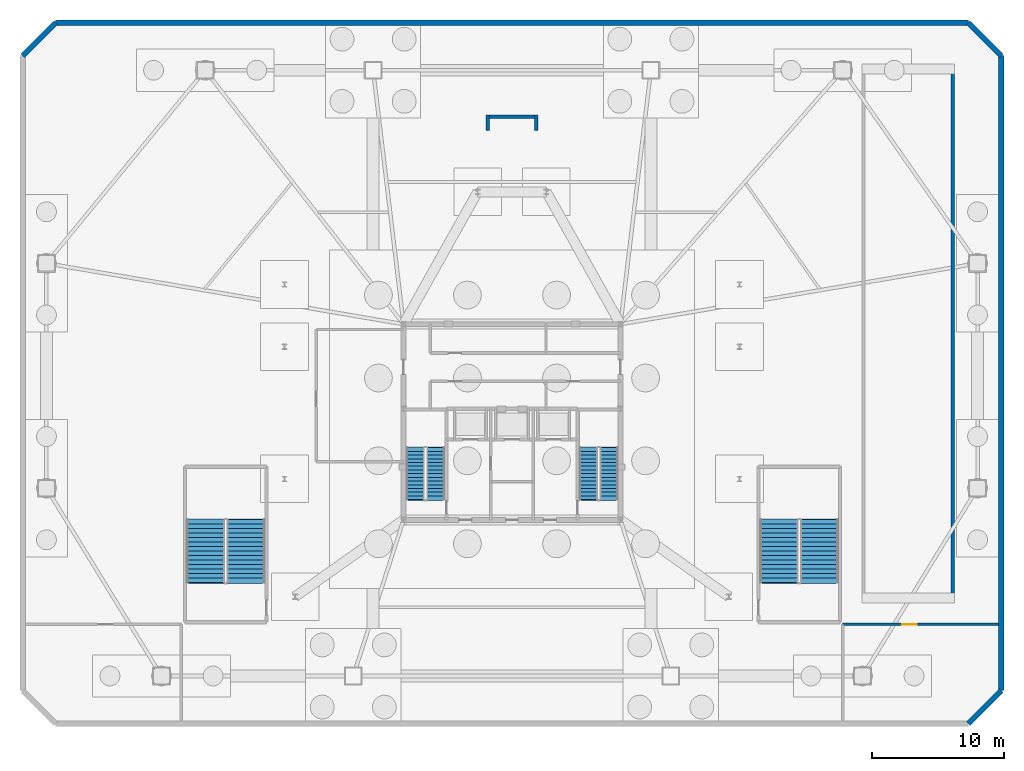
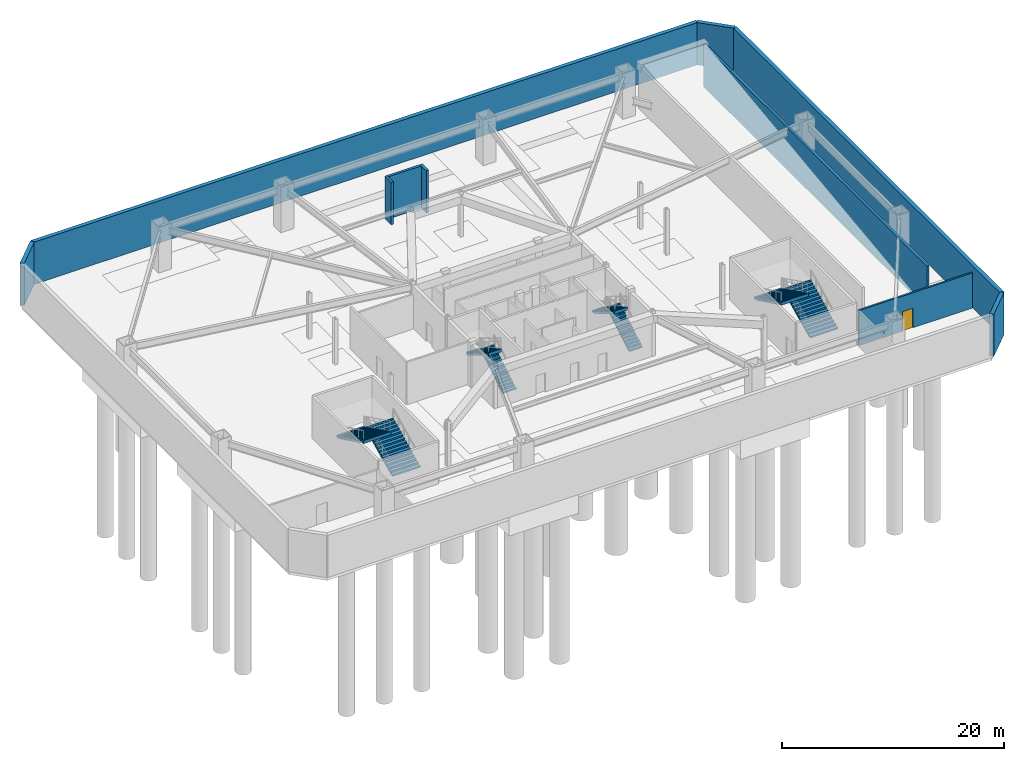
# One storey, part 9 of 12: 10 walls, 8 stair flights, 1 door, 1 opening, 4 elements without a shape of their own.
"""IFC4 building model written with IfcOpenShell, lengths in metres."""

from ifc_helpers import new_model, si_unit, direction, frame, frame_2d, origin, place, context, subcontext, project, spatial, polyline, rectangle, outline, extrude, material, layer, layer_set, type_object, element, fill, aggregate, save


model = new_model("IFC4")

# Units and contexts
model_context = context("Model", 3, precision=1e-05, world=origin(), true_north=direction((0.0, 1.0)))
body_context = subcontext(model_context, "Body", "Model", "MODEL_VIEW")
ifc_project = project(units=[si_unit("LENGTHUNIT", "METRE"), si_unit("AREAUNIT", "SQUARE_METRE"), si_unit("VOLUMEUNIT", "CUBIC_METRE"), si_unit("PLANEANGLEUNIT", "RADIAN"), si_unit("MASSUNIT", "GRAM", prefix="KILO")], contexts=[model_context])

# Site, building, storey
site_placement = place(None, origin())
site = spatial("IfcSite", under=ifc_project, at=site_placement, CompositionType="ELEMENT")
building_placement = place(site_placement, origin())
building = spatial("IfcBuilding", under=site, at=building_placement, Name="Varakhsha Concourse Tower", CompositionType="ELEMENT")
storey_placement = place(building_placement, frame((0.0, 0.0, -10.0)))
storey = spatial("IfcBuildingStorey", under=building, at=storey_placement, Name="B02", CompositionType="ELEMENT", Elevation=-10.0)

# Walls
ifc_material_1 = material(Name="Concrete fc 45 MPa", Category="concrete")
ifc_layer_1 = layer(ifc_material_1, 0.39990234375, Name="WL-BSMT-400")
ifc_layer_set_1 = layer_set([ifc_layer_1], Name="Concrete fc 45 MPa")
wall_type_1 = type_object("IfcWallType", Name="WL-BSMT-400", PredefinedType="USERDEFINED", material=ifc_layer_set_1)
wall_1_placement = place(storey_placement, frame((74.5, 1.0, 0.0), z_axis=(0.0, 0.0, 1.0), x_axis=(0.707106781187, 0.707106781187, 0.0)))
element("IfcWall", 1, at=wall_1_placement, inside=storey, type_object=wall_type_1, Name="B02 Perimeter Basement Retaining Wall 02", ObjectType="RETAINING WALL", PredefinedType="USERDEFINED", context=body_context, shape_type="SweptSolid", body=[
    extrude(rectangle(XDim=3.53564453125, YDim=0.39990234375, at=frame_2d((1.767822265625, 0.0))), origin(), (0.0, 0.0, 1.0), 4.639892578125),
])
wall_2_placement = place(storey_placement, frame((77.0, 3.5, 0.0), z_axis=(0.0, 0.0, 1.0), x_axis=(0.0, 1.0, 0.0)))
element("IfcWall", 2, at=wall_2_placement, inside=storey, type_object=wall_type_1, Name="B02 Perimeter Basement Retaining Wall 03", ObjectType="RETAINING WALL", PredefinedType="USERDEFINED", context=body_context, shape_type="SweptSolid", body=[
    extrude(rectangle(XDim=48.0, YDim=0.39990234375, at=frame_2d((24.0, 0.0))), origin(), (0.0, 0.0, 1.0), 4.639892578125),
])
wall_3_placement = place(storey_placement, frame((77.0, 51.5, 0.0), z_axis=(0.0, 0.0, 1.0), x_axis=(-0.707106781187, 0.707106781187, 0.0)))
element("IfcWall", 3, at=wall_3_placement, inside=storey, type_object=wall_type_1, Name="B02 Perimeter Basement Retaining Wall 04", ObjectType="RETAINING WALL", PredefinedType="USERDEFINED", context=body_context, shape_type="SweptSolid", body=[
    extrude(rectangle(XDim=3.53564453125, YDim=0.39990234375, at=frame_2d((1.767822265625, 0.0))), origin(), (0.0, 0.0, 1.0), 4.639892578125),
])
wall_4_placement = place(storey_placement, frame((74.5, 54.0, 0.0), z_axis=(0.0, 0.0, 1.0), x_axis=(-1.0, 0.0, 0.0)))
element("IfcWall", 4, at=wall_4_placement, inside=storey, type_object=wall_type_1, Name="B02 Perimeter Basement Retaining Wall 05", ObjectType="RETAINING WALL", PredefinedType="USERDEFINED", context=body_context, shape_type="SweptSolid", body=[
    extrude(rectangle(XDim=69.0, YDim=0.39990234375, at=frame_2d((34.5, 0.0))), origin(), (0.0, 0.0, 1.0), 4.639892578125),
])
wall_5_placement = place(storey_placement, frame((5.5, 54.0, 0.0), z_axis=(0.0, 0.0, 1.0), x_axis=(-0.707106781187, -0.707106781187, 0.0)))
element("IfcWall", 5, at=wall_5_placement, inside=storey, type_object=wall_type_1, Name="B02 Perimeter Basement Retaining Wall 06", ObjectType="RETAINING WALL", PredefinedType="USERDEFINED", context=body_context, shape_type="SweptSolid", body=[
    extrude(rectangle(XDim=3.53564453125, YDim=0.39990234375, at=frame_2d((1.767822265625, 0.0))), origin(), (0.0, 0.0, 1.0), 4.639892578125),
])

# Wall, opening, door
ifc_material_2 = material(Name="Fire-Rated Type X Gypsum Partition Assembly", Category="gypsum")
ifc_layer_2 = layer(ifc_material_2, 0.179931640625, Name="WL-PART-180")
ifc_layer_set_2 = layer_set([ifc_layer_2], Name="Fire-Rated Type X Gypsum Partition Assembly")
wall_type_2 = type_object("IfcWallType", Name="WL-PART-180", PredefinedType="PARTITIONING", material=ifc_layer_set_2)
wall_6_placement = place(storey_placement, frame((65.0, 8.5, 0.0), z_axis=(0.0, 0.0, 1.0), x_axis=(1.0, 0.0, 0.0)))
wall_6 = element("IfcWall", 6, at=wall_6_placement, inside=storey, type_object=wall_type_2, Name="B02 Wall BWALL-PLB-B02", PredefinedType="PARTITIONING", context=body_context, shape_type="SweptSolid", body=[
    extrude(rectangle(XDim=11.800048828125, YDim=0.179931640625, at=frame_2d((5.89990234375, 0.0))), origin(), (0.0, 0.0, 1.0), 3.85107421875),
])
opening_placement = place(wall_6_placement, frame((4.5, 0.0, 0.0)))
opening = element("IfcOpeningElement", 7, at=opening_placement, cuts=wall_6, Name="Opening DF-02", PredefinedType="OPENING", context=body_context, shape_type="SweptSolid", body=[
    extrude(rectangle(XDim=1.10009765625, YDim=2.14990234375, at=frame_2d((0.550048828125, 1.074951171875))), frame((0.0, 0.099853515625, 0.0), z_axis=(0.0, -1.0, 0.0), x_axis=(1.0, 0.0, 0.0)), (0.0, 0.0, 1.0), 0.199951171875),
])
ifc_material_3 = material(Name="Hollow Galvanised Steel Fire Door Assembly", Category="steel")
door_type = type_object("IfcDoorType", Name="DR-FD90-1100", OperationType="NOTDEFINED", PredefinedType="DOOR", material=ifc_material_3)
door_placement = place(opening_placement, origin())
door = element("IfcDoor", 8, at=door_placement, inside=storey, type_object=door_type, Name="B02 Standby Diesel Generator and HV Switchgear Room Door", OperationType="SINGLE_SWING_LEFT", OverallHeight=2.14990234375, OverallWidth=1.10009765625, PredefinedType="DOOR", context=body_context, shape_type="SweptSolid", body=[
    extrude(rectangle(XDim=1.10009765625, YDim=2.14990234375, at=frame_2d((0.550048828125, 1.074951171875))), frame((0.0, 0.02490234375, 0.0), z_axis=(0.0, -1.0, 0.0), x_axis=(1.0, 0.0, 0.0)), (0.0, 0.0, 1.0), 0.050048828125),
])
fill(opening, door)

# Walls
ifc_layer_3 = layer(ifc_material_1, 0.25, Name="WL-STAIR-250")
ifc_layer_set_3 = layer_set([ifc_layer_3], Name="Concrete fc 45 MPa")
wall_type_3 = type_object("IfcWallType", Name="WL-STAIR-250", PredefinedType="SHEAR", material=ifc_layer_set_3)
wall_7_placement = place(storey_placement, frame((73.320068359375, 10.39990234375, 0.0), z_axis=(0.0, 0.0, 1.0), x_axis=(0.0, 1.0, 0.0)))
element("IfcWall", 9, at=wall_7_placement, inside=storey, type_object=wall_type_3, Name="B02 Wall RMPW-B02-E", PredefinedType="SHEAR", context=body_context, shape_type="SweptSolid", body=[
    extrude(rectangle(XDim=40.2001953125, YDim=0.25, at=frame_2d((20.10009765625, 0.0))), origin(), (0.0, 0.0, 1.0), 4.639892578125),
])
wall_8_placement = place(storey_placement, frame((38.300048828125, 46.875, 0.0), z_axis=(0.0, 0.0, 1.0), x_axis=(1.0, 0.0, 0.0)))
element("IfcWall", 10, at=wall_8_placement, inside=storey, type_object=wall_type_3, Name="B02 Wall SWALL-ST5-N-B02", PredefinedType="SHEAR", context=body_context, shape_type="SweptSolid", body=[
    extrude(rectangle(XDim=3.39990234375, YDim=0.25, at=frame_2d((1.699951171875, 0.0))), origin(), (0.0, 0.0, 1.0), 4.639892578125),
])
for number, where, z_axis, x_axis, name in (
    (11, (38.175048828125, 45.85009765625, 0.0), (0.0, 0.0, 1.0), (0.0, 1.0, 0.0), "B02 Wall SWALL-ST5-W-B02"),
    (12, (41.824951171875, 45.85009765625, 0.0), (0.0, 0.0, 1.0), (0.0, 1.0, 0.0), "B02 Wall SWALL-ST5-E-B02"),
):
    element("IfcWall", number, at=place(storey_placement, frame(where, z_axis=z_axis, x_axis=x_axis)), inside=storey, type_object=wall_type_3, Name=name, PredefinedType="SHEAR", context=body_context, shape_type="SweptSolid", body=[
        extrude(rectangle(XDim=1.14990234375, YDim=0.25, at=frame_2d((0.574951171875, 0.0))), origin(), (0.0, 0.0, 1.0), 4.639892578125),
    ])

# Stair, stair flights
stair_type_1 = type_object("IfcStairType", Name="ST-DOGLEG-1360", PredefinedType="HALF_TURN_STAIR", material=ifc_material_1)
stair_1_placement = place(storey_placement, origin())
stair_1 = element("IfcStair", 13, at=stair_1_placement, inside=storey, type_object=stair_type_1, Name="B02 Protected Exit Stair ST1", PredefinedType="HALF_TURN_STAIR")
stair_flight_type_1 = type_object("IfcStairFlightType", Name="STF-1360-R1667", PredefinedType="STRAIGHT", material=ifc_material_1)
stair_flight_1_placement = place(storey_placement, frame((34.239990234375, 17.93994140625, 0.0), z_axis=(0.0, 0.0, 1.0), x_axis=(0.0, 1.0, 0.0)))
stair_flight_1 = element("IfcStairFlight", 14, at=stair_flight_1_placement, type_object=stair_flight_type_1, Name="ST1 flight 1", NumberOfRisers=15, NumberOfTreads=14, PredefinedType="STRAIGHT", RiserHeight=0.166666667, TreadLength=0.28, context=body_context, shape_type="SweptSolid", body=[
    extrude(outline(polyline([(-0.06005859375, 0.0), (-0.06005859375, 0.166748046875), (0.0, 0.166748046875), (0.280029296875, 0.166748046875), (0.280029296875, 0.333251953125), (0.56005859375, 0.333251953125), (0.56005859375, 0.5), (0.840087890625, 0.5), (0.840087890625, 0.666748046875), (1.1201171875, 0.666748046875), (1.1201171875, 0.833251953125), (1.39990234375, 0.833251953125), (1.39990234375, 1.0), (1.679931640625, 1.0), (1.679931640625, 1.166748046875), (1.9599609375, 1.166748046875), (1.9599609375, 1.333251953125), (2.239990234375, 1.333251953125), (2.239990234375, 1.5), (2.52001953125, 1.5), (2.52001953125, 1.666748046875), (2.800048828125, 1.666748046875), (2.800048828125, 1.833251953125), (3.080078125, 1.833251953125), (3.080078125, 2.0), (3.360107421875, 2.0), (3.360107421875, 2.166748046875), (3.639892578125, 2.166748046875), (3.639892578125, 2.333251953125), (3.919921875, 2.333251953125), (3.919921875, 2.5), (3.97998046875, 2.5), (3.97998046875, 2.158935546875), (3.919921875, 2.158935546875), (0.29296875, 0.0), (-0.06005859375, 0.0)])), frame((0.0, 0.68017578125, 0.0), z_axis=(0.0, -1.0, 0.0), x_axis=(1.0, 0.0, 0.0)), (0.0, 0.0, 1.0), 1.360107421875),
])
stair_flight_2_placement = place(storey_placement, frame((32.679931640625, 21.860107421875, 2.5), z_axis=(0.0, 0.0, 1.0), x_axis=(0.0, -1.0, 0.0)))
stair_flight_2 = element("IfcStairFlight", 15, at=stair_flight_2_placement, type_object=stair_flight_type_1, Name="ST1 flight 2", NumberOfRisers=15, NumberOfTreads=14, PredefinedType="STRAIGHT", RiserHeight=0.166666667, TreadLength=0.28, context=body_context, shape_type="SweptSolid", body=[
    extrude(outline(polyline([(-0.06005859375, 0.0), (-0.06005859375, 0.166748046875), (0.0, 0.166748046875), (0.280029296875, 0.166748046875), (0.280029296875, 0.333251953125), (0.56005859375, 0.333251953125), (0.56005859375, 0.5), (0.840087890625, 0.5), (0.840087890625, 0.666748046875), (1.1201171875, 0.666748046875), (1.1201171875, 0.833251953125), (1.39990234375, 0.833251953125), (1.39990234375, 1.0), (1.679931640625, 1.0), (1.679931640625, 1.166748046875), (1.9599609375, 1.166748046875), (1.9599609375, 1.333251953125), (2.239990234375, 1.333251953125), (2.239990234375, 1.5), (2.52001953125, 1.5), (2.52001953125, 1.666748046875), (2.800048828125, 1.666748046875), (2.800048828125, 1.833251953125), (3.080078125, 1.833251953125), (3.080078125, 2.0), (3.360107421875, 2.0), (3.360107421875, 2.166748046875), (3.639892578125, 2.166748046875), (3.639892578125, 2.333251953125), (3.919921875, 2.333251953125), (3.919921875, 2.5), (3.97998046875, 2.5), (3.97998046875, 2.158935546875), (3.919921875, 2.158935546875), (0.29296875, 0.0), (-0.06005859375, 0.0)])), frame((0.0, 0.68017578125, 0.0), z_axis=(0.0, -1.0, 0.0), x_axis=(1.0, 0.0, 0.0)), (0.0, 0.0, 1.0), 1.360107421875),
])
aggregate(stair_1, [stair_flight_1, stair_flight_2])

stair_2_placement = place(storey_placement, origin())
stair_2 = element("IfcStair", 16, at=stair_2_placement, inside=storey, type_object=stair_type_1, Name="B02 Protected Exit Stair ST2", PredefinedType="HALF_TURN_STAIR")
stair_flight_3_placement = place(storey_placement, frame((47.340087890625, 17.93994140625, 0.0), z_axis=(0.0, 0.0, 1.0), x_axis=(0.0, 1.0, 0.0)))
stair_flight_3 = element("IfcStairFlight", 17, at=stair_flight_3_placement, type_object=stair_flight_type_1, Name="ST2 flight 1", NumberOfRisers=15, NumberOfTreads=14, PredefinedType="STRAIGHT", RiserHeight=0.166666667, TreadLength=0.28, context=body_context, shape_type="SweptSolid", body=[
    extrude(outline(polyline([(-0.06005859375, 0.0), (-0.06005859375, 0.166748046875), (0.0, 0.166748046875), (0.280029296875, 0.166748046875), (0.280029296875, 0.333251953125), (0.56005859375, 0.333251953125), (0.56005859375, 0.5), (0.840087890625, 0.5), (0.840087890625, 0.666748046875), (1.1201171875, 0.666748046875), (1.1201171875, 0.833251953125), (1.39990234375, 0.833251953125), (1.39990234375, 1.0), (1.679931640625, 1.0), (1.679931640625, 1.166748046875), (1.9599609375, 1.166748046875), (1.9599609375, 1.333251953125), (2.239990234375, 1.333251953125), (2.239990234375, 1.5), (2.52001953125, 1.5), (2.52001953125, 1.666748046875), (2.800048828125, 1.666748046875), (2.800048828125, 1.833251953125), (3.080078125, 1.833251953125), (3.080078125, 2.0), (3.360107421875, 2.0), (3.360107421875, 2.166748046875), (3.639892578125, 2.166748046875), (3.639892578125, 2.333251953125), (3.919921875, 2.333251953125), (3.919921875, 2.5), (3.97998046875, 2.5), (3.97998046875, 2.158935546875), (3.919921875, 2.158935546875), (0.29296875, 0.0), (-0.06005859375, 0.0)])), frame((0.0, 0.68017578125, 0.0), z_axis=(0.0, -1.0, 0.0), x_axis=(1.0, 0.0, 0.0)), (0.0, 0.0, 1.0), 1.360107421875),
])
stair_flight_4_placement = place(storey_placement, frame((45.780029296875, 21.860107421875, 2.5), z_axis=(0.0, 0.0, 1.0), x_axis=(0.0, -1.0, 0.0)))
stair_flight_4 = element("IfcStairFlight", 18, at=stair_flight_4_placement, type_object=stair_flight_type_1, Name="ST2 flight 2", NumberOfRisers=15, NumberOfTreads=14, PredefinedType="STRAIGHT", RiserHeight=0.166666667, TreadLength=0.28, context=body_context, shape_type="SweptSolid", body=[
    extrude(outline(polyline([(-0.06005859375, 0.0), (-0.06005859375, 0.166748046875), (0.0, 0.166748046875), (0.280029296875, 0.166748046875), (0.280029296875, 0.333251953125), (0.56005859375, 0.333251953125), (0.56005859375, 0.5), (0.840087890625, 0.5), (0.840087890625, 0.666748046875), (1.1201171875, 0.666748046875), (1.1201171875, 0.833251953125), (1.39990234375, 0.833251953125), (1.39990234375, 1.0), (1.679931640625, 1.0), (1.679931640625, 1.166748046875), (1.9599609375, 1.166748046875), (1.9599609375, 1.333251953125), (2.239990234375, 1.333251953125), (2.239990234375, 1.5), (2.52001953125, 1.5), (2.52001953125, 1.666748046875), (2.800048828125, 1.666748046875), (2.800048828125, 1.833251953125), (3.080078125, 1.833251953125), (3.080078125, 2.0), (3.360107421875, 2.0), (3.360107421875, 2.166748046875), (3.639892578125, 2.166748046875), (3.639892578125, 2.333251953125), (3.919921875, 2.333251953125), (3.919921875, 2.5), (3.97998046875, 2.5), (3.97998046875, 2.158935546875), (3.919921875, 2.158935546875), (0.29296875, 0.0), (-0.06005859375, 0.0)])), frame((0.0, 0.68017578125, 0.0), z_axis=(0.0, -1.0, 0.0), x_axis=(1.0, 0.0, 0.0)), (0.0, 0.0, 1.0), 1.360107421875),
])
aggregate(stair_2, [stair_flight_3, stair_flight_4])

stair_type_2 = type_object("IfcStairType", Name="ST-DOGLEG-2860", PredefinedType="HALF_TURN_STAIR", material=ifc_material_1)
stair_3_placement = place(storey_placement, origin())
stair_3 = element("IfcStair", 19, at=stair_3_placement, inside=storey, type_object=stair_type_2, Name="B02 Protected Exit Stair ST3", PredefinedType="HALF_TURN_STAIR")
stair_flight_type_2 = type_object("IfcStairFlightType", Name="STF-2860-R1667", PredefinedType="STRAIGHT", material=ifc_material_1)
stair_flight_5_placement = place(storey_placement, frame((19.889892578125, 11.659912109375, 0.0), z_axis=(0.0, 0.0, 1.0), x_axis=(0.0, 1.0, 0.0)))
stair_flight_5 = element("IfcStairFlight", 20, at=stair_flight_5_placement, type_object=stair_flight_type_2, Name="ST3 flight 1", NumberOfRisers=15, NumberOfTreads=14, PredefinedType="STRAIGHT", RiserHeight=0.166666667, TreadLength=0.34, context=body_context, shape_type="SweptSolid", body=[
    extrude(outline(polyline([(-0.06005859375, 0.0), (-0.06005859375, 0.166748046875), (0.0, 0.166748046875), (0.340087890625, 0.166748046875), (0.340087890625, 0.333251953125), (0.679931640625, 0.333251953125), (0.679931640625, 0.5), (1.02001953125, 0.5), (1.02001953125, 0.666748046875), (1.360107421875, 0.666748046875), (1.360107421875, 0.833251953125), (1.699951171875, 0.833251953125), (1.699951171875, 1.0), (2.0400390625, 1.0), (2.0400390625, 1.166748046875), (2.3798828125, 1.166748046875), (2.3798828125, 1.333251953125), (2.719970703125, 1.333251953125), (2.719970703125, 1.5), (3.06005859375, 1.5), (3.06005859375, 1.666748046875), (3.39990234375, 1.666748046875), (3.39990234375, 1.833251953125), (3.739990234375, 1.833251953125), (3.739990234375, 2.0), (4.080078125, 2.0), (4.080078125, 2.166748046875), (4.419921875, 2.166748046875), (4.419921875, 2.333251953125), (4.760009765625, 2.333251953125), (4.760009765625, 2.5), (4.820068359375, 2.5), (4.820068359375, 2.16650390625), (4.760009765625, 2.16650390625), (0.340576171875, 0.0), (-0.06005859375, 0.0)])), frame((0.0, 1.43017578125, 0.0), z_axis=(0.0, -1.0, 0.0), x_axis=(1.0, 0.0, 0.0)), (0.0, 0.0, 1.0), 2.860107421875),
])
stair_flight_6_placement = place(storey_placement, frame((16.830078125, 16.419921875, 2.5), z_axis=(0.0, 0.0, 1.0), x_axis=(0.0, -1.0, 0.0)))
stair_flight_6 = element("IfcStairFlight", 21, at=stair_flight_6_placement, type_object=stair_flight_type_2, Name="ST3 flight 2", NumberOfRisers=15, NumberOfTreads=14, PredefinedType="STRAIGHT", RiserHeight=0.166666667, TreadLength=0.34, context=body_context, shape_type="SweptSolid", body=[
    extrude(outline(polyline([(-0.06005859375, 0.0), (-0.06005859375, 0.166748046875), (0.0, 0.166748046875), (0.340087890625, 0.166748046875), (0.340087890625, 0.333251953125), (0.679931640625, 0.333251953125), (0.679931640625, 0.5), (1.02001953125, 0.5), (1.02001953125, 0.666748046875), (1.360107421875, 0.666748046875), (1.360107421875, 0.833251953125), (1.699951171875, 0.833251953125), (1.699951171875, 1.0), (2.0400390625, 1.0), (2.0400390625, 1.166748046875), (2.3798828125, 1.166748046875), (2.3798828125, 1.333251953125), (2.719970703125, 1.333251953125), (2.719970703125, 1.5), (3.06005859375, 1.5), (3.06005859375, 1.666748046875), (3.39990234375, 1.666748046875), (3.39990234375, 1.833251953125), (3.739990234375, 1.833251953125), (3.739990234375, 2.0), (4.080078125, 2.0), (4.080078125, 2.166748046875), (4.419921875, 2.166748046875), (4.419921875, 2.333251953125), (4.760009765625, 2.333251953125), (4.760009765625, 2.5), (4.820068359375, 2.5), (4.820068359375, 2.16650390625), (4.760009765625, 2.16650390625), (0.340576171875, 0.0), (-0.06005859375, 0.0)])), frame((0.0, 1.43017578125, 0.0), z_axis=(0.0, -1.0, 0.0), x_axis=(1.0, 0.0, 0.0)), (0.0, 0.0, 1.0), 2.860107421875),
])
aggregate(stair_3, [stair_flight_5, stair_flight_6])

stair_4_placement = place(storey_placement, origin())
stair_4 = element("IfcStair", 22, at=stair_4_placement, inside=storey, type_object=stair_type_2, Name="B02 Protected Exit Stair ST4", PredefinedType="HALF_TURN_STAIR")
stair_flight_7_placement = place(storey_placement, frame((63.25, 11.659912109375, 0.0), z_axis=(0.0, 0.0, 1.0), x_axis=(0.0, 1.0, 0.0)))
stair_flight_7 = element("IfcStairFlight", 23, at=stair_flight_7_placement, type_object=stair_flight_type_2, Name="ST4 flight 1", NumberOfRisers=15, NumberOfTreads=14, PredefinedType="STRAIGHT", RiserHeight=0.166666667, TreadLength=0.34, context=body_context, shape_type="SweptSolid", body=[
    extrude(outline(polyline([(-0.06005859375, 0.0), (-0.06005859375, 0.166748046875), (0.0, 0.166748046875), (0.340087890625, 0.166748046875), (0.340087890625, 0.333251953125), (0.679931640625, 0.333251953125), (0.679931640625, 0.5), (1.02001953125, 0.5), (1.02001953125, 0.666748046875), (1.360107421875, 0.666748046875), (1.360107421875, 0.833251953125), (1.699951171875, 0.833251953125), (1.699951171875, 1.0), (2.0400390625, 1.0), (2.0400390625, 1.166748046875), (2.3798828125, 1.166748046875), (2.3798828125, 1.333251953125), (2.719970703125, 1.333251953125), (2.719970703125, 1.5), (3.06005859375, 1.5), (3.06005859375, 1.666748046875), (3.39990234375, 1.666748046875), (3.39990234375, 1.833251953125), (3.739990234375, 1.833251953125), (3.739990234375, 2.0), (4.080078125, 2.0), (4.080078125, 2.166748046875), (4.419921875, 2.166748046875), (4.419921875, 2.333251953125), (4.760009765625, 2.333251953125), (4.760009765625, 2.5), (4.820068359375, 2.5), (4.820068359375, 2.16650390625), (4.760009765625, 2.16650390625), (0.340576171875, 0.0), (-0.06005859375, 0.0)])), frame((0.0, 1.43017578125, 0.0), z_axis=(0.0, -1.0, 0.0), x_axis=(1.0, 0.0, 0.0)), (0.0, 0.0, 1.0), 2.860107421875),
])
stair_flight_8_placement = place(storey_placement, frame((60.18994140625, 16.419921875, 2.5), z_axis=(0.0, 0.0, 1.0), x_axis=(0.0, -1.0, 0.0)))
stair_flight_8 = element("IfcStairFlight", 24, at=stair_flight_8_placement, type_object=stair_flight_type_2, Name="ST4 flight 2", NumberOfRisers=15, NumberOfTreads=14, PredefinedType="STRAIGHT", RiserHeight=0.166666667, TreadLength=0.34, context=body_context, shape_type="SweptSolid", body=[
    extrude(outline(polyline([(-0.06005859375, 0.0), (-0.06005859375, 0.166748046875), (0.0, 0.166748046875), (0.340087890625, 0.166748046875), (0.340087890625, 0.333251953125), (0.679931640625, 0.333251953125), (0.679931640625, 0.5), (1.02001953125, 0.5), (1.02001953125, 0.666748046875), (1.360107421875, 0.666748046875), (1.360107421875, 0.833251953125), (1.699951171875, 0.833251953125), (1.699951171875, 1.0), (2.0400390625, 1.0), (2.0400390625, 1.166748046875), (2.3798828125, 1.166748046875), (2.3798828125, 1.333251953125), (2.719970703125, 1.333251953125), (2.719970703125, 1.5), (3.06005859375, 1.5), (3.06005859375, 1.666748046875), (3.39990234375, 1.666748046875), (3.39990234375, 1.833251953125), (3.739990234375, 1.833251953125), (3.739990234375, 2.0), (4.080078125, 2.0), (4.080078125, 2.166748046875), (4.419921875, 2.166748046875), (4.419921875, 2.333251953125), (4.760009765625, 2.333251953125), (4.760009765625, 2.5), (4.820068359375, 2.5), (4.820068359375, 2.16650390625), (4.760009765625, 2.16650390625), (0.340576171875, 0.0), (-0.06005859375, 0.0)])), frame((0.0, 1.43017578125, 0.0), z_axis=(0.0, -1.0, 0.0), x_axis=(1.0, 0.0, 0.0)), (0.0, 0.0, 1.0), 2.860107421875),
])
aggregate(stair_4, [stair_flight_7, stair_flight_8])

save(model, "model.ifc")
